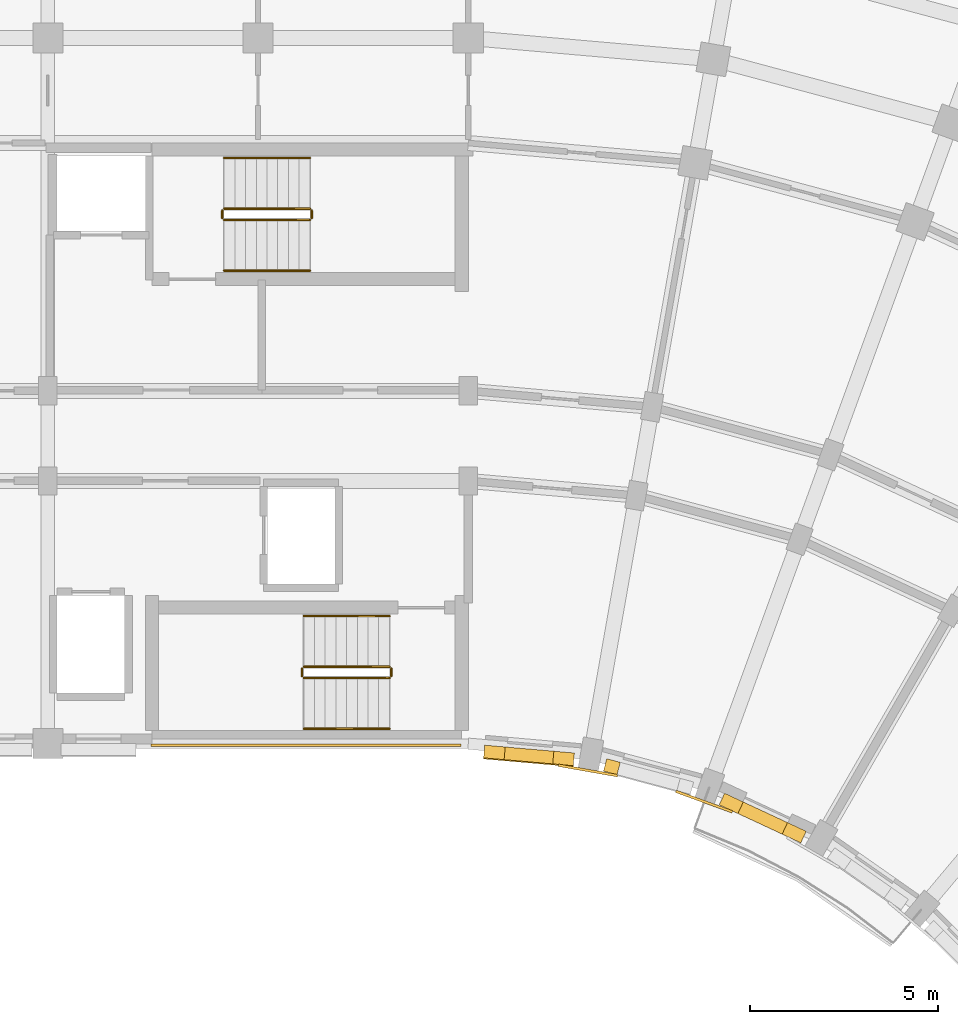
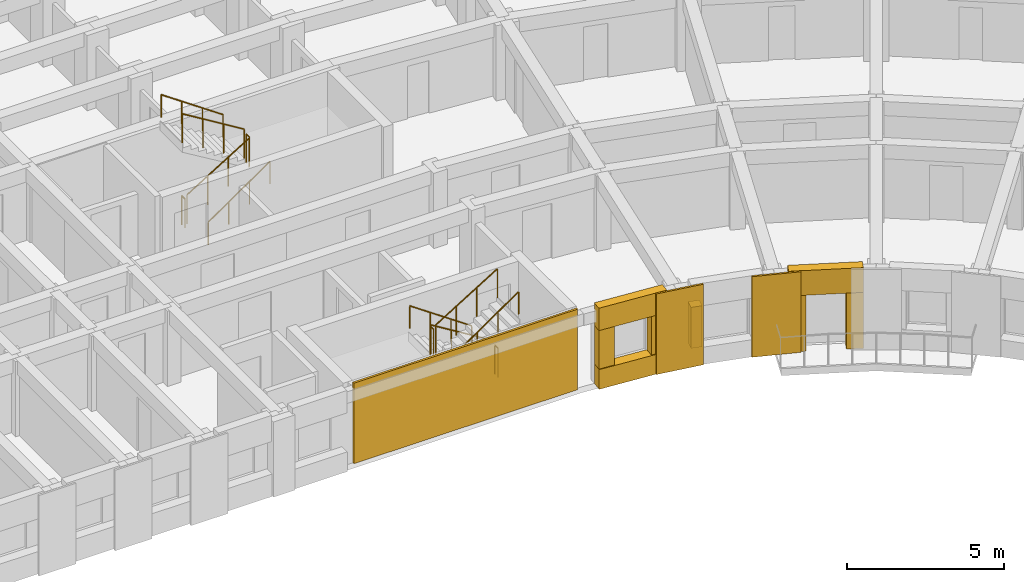
# One storey, part 70 of 76: 12 railings, 11 coverings.
"""IFC4 building model written with IfcOpenShell, lengths in metres."""

from ifc_helpers import new_model, si_unit, direction, frame, origin, origin_2d, place, context, subcontext, project, spatial, polyline, circle, outline, extrude, material, layer, layer_set, type_object, element, save


model = new_model("IFC4")

# Units and contexts
model_context = context("Model", 3, precision=1e-05, world=origin(), true_north=direction((0.0, 1.0)))
body_context = subcontext(model_context, "Body", "Model", "MODEL_VIEW")
ifc_project = project(units=[si_unit("LENGTHUNIT", "METRE"), si_unit("AREAUNIT", "SQUARE_METRE"), si_unit("VOLUMEUNIT", "CUBIC_METRE"), si_unit("PLANEANGLEUNIT", "RADIAN"), si_unit("MASSUNIT", "GRAM", prefix="KILO")], contexts=[model_context])

# Site, building, storey
site_placement = place(None, origin())
site = spatial("IfcSite", under=ifc_project, at=site_placement, CompositionType="ELEMENT")
building_placement = place(site_placement, origin())
building = spatial("IfcBuilding", under=site, at=building_placement, Name="Kiranvali Square Residences", CompositionType="ELEMENT")
storey_placement = place(building_placement, frame((0.0, 0.0, 8.699951171875)))
storey = spatial("IfcBuildingStorey", under=building, at=storey_placement, Name="L02", CompositionType="ELEMENT", Elevation=8.699951171875)

# Coverings
ifc_material_1 = material(Name="Honed Porbandar limestone ashlar facade cladding", Category="masonry")
ifc_layer_1 = layer(ifc_material_1, 0.3798828125)
ifc_layer_set_1 = layer_set([ifc_layer_1], Name="Honed Porbandar limestone ashlar facade cladding")
covering_type_1 = type_object("IfcCoveringType", Name="COV-CLAD-JAMB", PredefinedType="CLADDING", material=ifc_layer_set_1)
covering_1_placement = place(storey_placement, frame((0.0, 0.0, 0.77197265625)))
element("IfcCovering", 1, at=covering_1_placement, inside=storey, type_object=covering_type_1, Name="L02 deep limestone window jamb reveal B-L02-GDN-00.L", PredefinedType="CLADDING", context=body_context, shape_type="SweptSolid", body=[
    extrude(outline(polyline([(120.208740234375, 106.222900390625), (120.755126953125, 106.175048828125), (120.78466796875, 106.513427734375), (120.23828125, 106.56103515625), (120.208740234375, 106.222900390625)])), origin(), (0.0, 0.0, 1.0), 1.5),
])
covering_2_placement = place(storey_placement, frame((0.0, 0.0, 0.77197265625)))
element("IfcCovering", 2, at=covering_2_placement, inside=storey, type_object=covering_type_1, Name="L02 deep limestone window jamb reveal B-L02-GDN-00.R", PredefinedType="CLADDING", context=body_context, shape_type="SweptSolid", body=[
    extrude(outline(polyline([(122.05029296875, 106.061767578125), (122.5966796875, 106.013916015625), (122.626220703125, 106.352294921875), (122.079833984375, 106.400146484375), (122.05029296875, 106.061767578125)])), origin(), (0.0, 0.0, 1.0), 1.5),
])
covering_3_placement = place(storey_placement, frame((0.0, 0.0, 0.672119140625)))
element("IfcCovering", 3, at=covering_3_placement, inside=storey, type_object=covering_type_1, Name="L02 deep limestone window jamb reveal B-L02-GDN-01.L", PredefinedType="CLADDING", context=body_context, shape_type="SweptSolid", body=[
    extrude(outline(polyline([(123.401611328125, 105.8720703125), (123.762451171875, 105.775390625), (123.850341796875, 106.103271484375), (123.489501953125, 106.199951171875), (123.401611328125, 105.8720703125)])), origin(), (0.0, 0.0, 1.0), 1.599853515625),
])
covering_4_placement = place(storey_placement, origin())
element("IfcCovering", 4, at=covering_4_placement, inside=storey, type_object=covering_type_1, Name="L02 deep limestone window jamb reveal B-L02-GDN-02.L", PredefinedType="CLADDING", context=body_context, shape_type="SweptSolid", body=[
    extrude(outline(polyline([(126.485107421875, 104.97216796875), (126.982177734375, 104.740234375), (127.125732421875, 105.048095703125), (126.62841796875, 105.27978515625), (126.485107421875, 104.97216796875)])), origin(), (0.0, 0.0, 1.0), 2.179931640625),
])
covering_5_placement = place(storey_placement, origin())
element("IfcCovering", 5, at=covering_5_placement, inside=storey, type_object=covering_type_1, Name="L02 deep limestone window jamb reveal B-L02-GDN-02.R", PredefinedType="CLADDING", context=body_context, shape_type="SweptSolid", body=[
    extrude(outline(polyline([(128.160400390625, 104.19091796875), (128.657470703125, 103.958984375), (128.801025390625, 104.266845703125), (128.303955078125, 104.49853515625), (128.160400390625, 104.19091796875)])), origin(), (0.0, 0.0, 1.0), 2.179931640625),
])
ifc_layer_2 = layer(ifc_material_1, 0.06494140625)
ifc_layer_set_2 = layer_set([ifc_layer_2], Name="Honed Porbandar limestone ashlar facade cladding")
covering_type_2 = type_object("IfcCoveringType", Name="COV-CLAD-PIER", PredefinedType="CLADDING", material=ifc_layer_set_2)
covering_6_placement = place(storey_placement, frame((0.0, 0.0, 0.005126953125)))
element("IfcCovering", 6, at=covering_6_placement, inside=storey, type_object=covering_type_2, Name="Block B L02 garden stair limestone ashlar cladding", PredefinedType="CLADDING", context=body_context, shape_type="SweptSolid", body=[
    extrude(outline(polyline([(119.60009765625, 106.597900390625), (111.35009765625, 106.597900390625), (111.35009765625, 106.52001953125), (119.60009765625, 106.52001953125), (119.60009765625, 106.597900390625)])), origin(), (0.0, 0.0, 1.0), 3.139892578125),
])
ifc_layer_3 = layer(ifc_material_1, 0.050048828125)
ifc_layer_set_3 = layer_set([ifc_layer_3], Name="Honed Porbandar limestone ashlar facade cladding")
covering_type_3 = type_object("IfcCoveringType", Name="COV-CLAD-PIER-IN", PredefinedType="CLADDING", material=ifc_layer_set_3)
covering_7_placement = place(storey_placement, frame((0.0, 0.0, 0.005126953125)))
element("IfcCovering", 7, at=covering_7_placement, inside=storey, type_object=covering_type_3, Name="L02 Classical garden courtyard pilaster CLAD-PRIN-B-L02-A01", PredefinedType="CLADDING", context=body_context, shape_type="SweptSolid", body=[
    extrude(outline(polyline([(122.195556640625, 105.992431640625), (123.771240234375, 105.714599609375), (123.782958984375, 105.781005859375), (122.207275390625, 106.058837890625), (122.195556640625, 105.992431640625)])), origin(), (0.0, 0.0, 1.0), 3.139892578125),
])
covering_8_placement = place(storey_placement, frame((0.0, 0.0, 0.005126953125)))
element("IfcCovering", 8, at=covering_8_placement, inside=storey, type_object=covering_type_3, Name="L02 Classical garden courtyard pilaster CLAD-PRIN-B-L02-A02", PredefinedType="CLADDING", context=body_context, shape_type="SweptSolid", body=[
    extrude(outline(polyline([(125.318115234375, 105.300048828125), (126.82177734375, 104.7529296875), (126.8447265625, 104.816162109375), (125.34130859375, 105.363525390625), (125.318115234375, 105.300048828125)])), origin(), (0.0, 0.0, 1.0), 3.139892578125),
])
ifc_layer_4 = layer(ifc_material_1, 0.360107421875)
ifc_layer_set_4 = layer_set([ifc_layer_4], Name="Honed Porbandar limestone ashlar facade cladding")
covering_type_4 = type_object("IfcCoveringType", Name="COV-CLAD-WALL", PredefinedType="CLADDING", material=ifc_layer_set_4)
covering_9_placement = place(storey_placement, frame((0.0, 0.0, 2.27197265625)))
element("IfcCovering", 9, at=covering_9_placement, inside=storey, type_object=covering_type_4, Name="L02 light limestone spandrel lintel B-L02-GDN-00", PredefinedType="CLADDING", context=body_context, shape_type="SweptSolid", body=[
    extrude(outline(polyline([(120.208740234375, 106.222900390625), (122.5966796875, 106.013916015625), (122.626220703125, 106.352294921875), (120.23828125, 106.56103515625), (120.208740234375, 106.222900390625)])), origin(), (0.0, 0.0, 1.0), 0.873046875),
])
covering_10_placement = place(storey_placement, frame((0.0, 0.0, 2.179931640625)))
element("IfcCovering", 10, at=covering_10_placement, inside=storey, type_object=covering_type_4, Name="L02 light limestone spandrel lintel B-L02-GDN-02", PredefinedType="CLADDING", context=body_context, shape_type="SweptSolid", body=[
    extrude(outline(polyline([(126.485107421875, 104.97216796875), (128.657470703125, 103.958984375), (128.801025390625, 104.266845703125), (126.62841796875, 105.27978515625), (126.485107421875, 104.97216796875)])), origin(), (0.0, 0.0, 1.0), 0.965087890625),
])
ifc_layer_5 = layer(ifc_material_1, 0.2900390625)
ifc_layer_set_5 = layer_set([ifc_layer_5], Name="Honed Porbandar limestone ashlar facade cladding")
covering_type_5 = type_object("IfcCoveringType", Name="COV-CLAD-WALL-IN", PredefinedType="CLADDING", material=ifc_layer_set_5)
covering_11_placement = place(storey_placement, frame((0.0, 0.0, 0.005126953125)))
element("IfcCovering", 11, at=covering_11_placement, inside=storey, type_object=covering_type_5, Name="L02 limestone window sill apron B-L02-GDN-00", PredefinedType="CLADDING", context=body_context, shape_type="SweptSolid", body=[
    extrude(outline(polyline([(120.2060546875, 106.193115234375), (122.593994140625, 105.984130859375), (122.626220703125, 106.352294921875), (120.23828125, 106.56103515625), (120.2060546875, 106.193115234375)])), origin(), (0.0, 0.0, 1.0), 0.766845703125),
])

# Railings
ifc_material_2 = material(Name="Brushed stainless steel tubular handrail", Category="steel")
railing_type_1 = type_object("IfcRailingType", Name="RL-HANDRAIL-900", PredefinedType="HANDRAIL", material=ifc_material_2)
railing_1_placement = place(storey_placement, frame((113.300048828125, 119.199951171875, 0.175048828125)))
element("IfcRailing", 12, at=railing_1_placement, inside=storey, type_object=railing_type_1, Name="L02 ST-B1 stair handrail 1", PredefinedType="HANDRAIL", context=body_context, shape_type="SweptSolid", body=[
    extrude(circle(Radius=0.02392578125, at=origin_2d()), frame((0.0, 0.0, 0.8759765625), z_axis=(0.82278801735, 0.0, 0.568348377763), x_axis=(0.0, 1.0, 0.0)), (0.0, 0.0, 1.0), 2.77099609375),
    extrude(circle(Radius=0.02099609375, at=origin_2d()), origin(), (0.0, 0.0, 1.0), 0.851806640625),
    extrude(circle(Radius=0.02099609375, at=origin_2d()), frame((0.760009765625, 0.0, 0.52490234375)), (0.0, 0.0, 1.0), 0.851806640625),
    extrude(circle(Radius=0.02099609375, at=origin_2d()), frame((1.52001953125, 0.0, 1.050048828125)), (0.0, 0.0, 1.0), 0.851806640625),
    extrude(circle(Radius=0.02099609375, at=origin_2d()), frame((2.280029296875, 0.0, 1.574951171875)), (0.0, 0.0, 1.0), 0.851806640625),
])
for number, where, name in (
    (13, (115.580078125, 122.199951171875, 1.75), "L02 ST-B1 stair handrail 2"),
    (14, (117.699951171875, 110.0, 0.175048828125), "L02 ST-B2 stair handrail 1"),
):
    element("IfcRailing", number, at=place(storey_placement, frame(where)), inside=storey, type_object=railing_type_1, Name=name, PredefinedType="HANDRAIL", context=body_context, shape_type="SweptSolid", body=[
        extrude(circle(Radius=0.02392578125, at=origin_2d()), frame((0.0, 0.0, 0.8759765625), z_axis=(-0.82278801735, 0.0, 0.568348377763), x_axis=(0.0, -1.0, 0.0)), (0.0, 0.0, 1.0), 2.77099609375),
        extrude(circle(Radius=0.02099609375, at=origin_2d()), origin(), (0.0, 0.0, 1.0), 0.851806640625),
        extrude(circle(Radius=0.02099609375, at=origin_2d()), frame((-0.760009765625, 0.0, 0.52490234375)), (0.0, 0.0, 1.0), 0.851806640625),
        extrude(circle(Radius=0.02099609375, at=origin_2d()), frame((-1.52001953125, 0.0, 1.050048828125)), (0.0, 0.0, 1.0), 0.851806640625),
        extrude(circle(Radius=0.02099609375, at=origin_2d()), frame((-2.280029296875, 0.0, 1.574951171875)), (0.0, 0.0, 1.0), 0.851806640625),
    ])
railing_2_placement = place(storey_placement, frame((115.419921875, 107.0, 1.75)))
element("IfcRailing", 15, at=railing_2_placement, inside=storey, type_object=railing_type_1, Name="L02 ST-B2 stair handrail 2", PredefinedType="HANDRAIL", context=body_context, shape_type="SweptSolid", body=[
    extrude(circle(Radius=0.02392578125, at=origin_2d()), frame((0.0, 0.0, 0.8759765625), z_axis=(0.82278801735, 0.0, 0.568348377763), x_axis=(0.0, 1.0, 0.0)), (0.0, 0.0, 1.0), 2.77099609375),
    extrude(circle(Radius=0.02099609375, at=origin_2d()), origin(), (0.0, 0.0, 1.0), 0.851806640625),
    extrude(circle(Radius=0.02099609375, at=origin_2d()), frame((0.760009765625, 0.0, 0.52490234375)), (0.0, 0.0, 1.0), 0.851806640625),
    extrude(circle(Radius=0.02099609375, at=origin_2d()), frame((1.52001953125, 0.0, 1.050048828125)), (0.0, 0.0, 1.0), 0.851806640625),
    extrude(circle(Radius=0.02099609375, at=origin_2d()), frame((2.280029296875, 0.0, 1.574951171875)), (0.0, 0.0, 1.0), 0.851806640625),
])
ifc_material_3 = material(Name="Powder-coated architectural bronze balustrade", Category="steel")
railing_type_2 = type_object("IfcRailingType", Name="RL-ST-GUARD-1200", PredefinedType="GUARDRAIL", material=ifc_material_3)
railing_3_placement = place(storey_placement, frame((113.300048828125, 120.550048828125, 0.175048828125)))
element("IfcRailing", 16, at=railing_3_placement, inside=storey, type_object=railing_type_2, Name="L02 ST-B1 stair guard 1", PredefinedType="GUARDRAIL", context=body_context, shape_type="SweptSolid", body=[
    extrude(circle(Radius=0.02392578125, at=origin_2d()), frame((0.0, 0.0, 1.1259765625), z_axis=(0.852190499154, 0.0, 0.523231643875), x_axis=(0.0, 1.0, 0.0)), (0.0, 0.0, 1.0), 2.675537109375),
    extrude(circle(Radius=0.02099609375, at=origin_2d()), origin(), (0.0, 0.0, 1.0), 1.101806640625),
    extrude(circle(Radius=0.02099609375, at=origin_2d()), frame((0.760009765625, 0.0, 0.466552734375)), (0.0, 0.0, 1.0), 1.101806640625),
    extrude(circle(Radius=0.02099609375, at=origin_2d()), frame((1.52001953125, 0.0, 0.933349609375)), (0.0, 0.0, 1.0), 1.101806640625),
    extrude(circle(Radius=0.02099609375, at=origin_2d()), frame((2.280029296875, 0.0, 1.39990234375)), (0.0, 0.0, 1.0), 1.101806640625),
])
railing_4_placement = place(storey_placement, frame((115.6298828125, 120.60009765625, 1.574951171875)))
element("IfcRailing", 17, at=railing_4_placement, inside=storey, type_object=railing_type_2, Name="L02 ST-B1 stair guard 2", PredefinedType="GUARDRAIL", context=body_context, shape_type="SweptSolid", body=[
    extrude(circle(Radius=0.02392578125, at=origin_2d()), frame((0.0, 0.0, 1.1259765625), z_axis=(0.0, 1.0, 0.0), x_axis=(-1.0, 0.0, 0.0)), (0.0, 0.0, 1.0), 0.199951171875),
    extrude(circle(Radius=0.02099609375, at=origin_2d()), origin(), (0.0, 0.0, 1.0), 1.101806640625),
    extrude(circle(Radius=0.02099609375, at=origin_2d()), frame((0.0, 0.199951171875, 0.0)), (0.0, 0.0, 1.0), 1.101806640625),
])
railing_5_placement = place(storey_placement, frame((115.580078125, 120.85009765625, 1.75)))
element("IfcRailing", 18, at=railing_5_placement, inside=storey, type_object=railing_type_2, Name="L02 ST-B1 stair guard 3", PredefinedType="GUARDRAIL", context=body_context, shape_type="SweptSolid", body=[
    extrude(circle(Radius=0.02392578125, at=origin_2d()), frame((0.0, 0.0, 1.1259765625), z_axis=(-0.852149810458, 0.0, 0.523297908018), x_axis=(0.0, -1.0, 0.0)), (0.0, 0.0, 1.0), 2.675537109375),
    extrude(circle(Radius=0.02099609375, at=origin_2d()), origin(), (0.0, 0.0, 1.0), 1.101806640625),
    extrude(circle(Radius=0.02099609375, at=origin_2d()), frame((-0.760009765625, 0.0, 0.466796875)), (0.0, 0.0, 1.0), 1.101806640625),
    extrude(circle(Radius=0.02099609375, at=origin_2d()), frame((-1.52001953125, 0.0, 0.933349609375)), (0.0, 0.0, 1.0), 1.101806640625),
    extrude(circle(Radius=0.02099609375, at=origin_2d()), frame((-2.280029296875, 0.0, 1.400146484375)), (0.0, 0.0, 1.0), 1.101806640625),
])
railing_6_placement = place(storey_placement, frame((113.25, 120.60009765625, 0.0)))
element("IfcRailing", 19, at=railing_6_placement, inside=storey, type_object=railing_type_2, Name="L02 ST-B1 stair guard 4", PredefinedType="GUARDRAIL", context=body_context, shape_type="SweptSolid", body=[
    extrude(circle(Radius=0.02392578125, at=origin_2d()), frame((0.0, 0.0, 1.1259765625), z_axis=(0.0, 1.0, 0.0), x_axis=(-1.0, 0.0, 0.0)), (0.0, 0.0, 1.0), 0.199951171875),
    extrude(circle(Radius=0.02099609375, at=origin_2d()), origin(), (0.0, 0.0, 1.0), 1.101806640625),
    extrude(circle(Radius=0.02099609375, at=origin_2d()), frame((0.0, 0.199951171875, 0.0)), (0.0, 0.0, 1.0), 1.101806640625),
])
railing_7_placement = place(storey_placement, frame((117.699951171875, 108.64990234375, 0.175048828125)))
element("IfcRailing", 20, at=railing_7_placement, inside=storey, type_object=railing_type_2, Name="L02 ST-B2 stair guard 1", PredefinedType="GUARDRAIL", context=body_context, shape_type="SweptSolid", body=[
    extrude(circle(Radius=0.02392578125, at=origin_2d()), frame((0.0, 0.0, 1.1259765625), z_axis=(-0.852190499154, 0.0, 0.523231643875), x_axis=(0.0, -1.0, 0.0)), (0.0, 0.0, 1.0), 2.675537109375),
    extrude(circle(Radius=0.02099609375, at=origin_2d()), origin(), (0.0, 0.0, 1.0), 1.101806640625),
    extrude(circle(Radius=0.02099609375, at=origin_2d()), frame((-0.760009765625, 0.0, 0.466552734375)), (0.0, 0.0, 1.0), 1.101806640625),
    extrude(circle(Radius=0.02099609375, at=origin_2d()), frame((-1.52001953125, 0.0, 0.933349609375)), (0.0, 0.0, 1.0), 1.101806640625),
    extrude(circle(Radius=0.02099609375, at=origin_2d()), frame((-2.280029296875, 0.0, 1.39990234375)), (0.0, 0.0, 1.0), 1.101806640625),
])
railing_8_placement = place(storey_placement, frame((115.3701171875, 108.60009765625, 1.574951171875)))
element("IfcRailing", 21, at=railing_8_placement, inside=storey, type_object=railing_type_2, Name="L02 ST-B2 stair guard 2", PredefinedType="GUARDRAIL", context=body_context, shape_type="SweptSolid", body=[
    extrude(circle(Radius=0.02392578125, at=origin_2d()), frame((0.0, 0.0, 1.1259765625), z_axis=(0.0, -1.0, 0.0), x_axis=(1.0, 0.0, 0.0)), (0.0, 0.0, 1.0), 0.2001953125),
    extrude(circle(Radius=0.02099609375, at=origin_2d()), origin(), (0.0, 0.0, 1.0), 1.101806640625),
    extrude(circle(Radius=0.02099609375, at=origin_2d()), frame((0.0, -0.2001953125, 0.0)), (0.0, 0.0, 1.0), 1.101806640625),
])
railing_9_placement = place(storey_placement, frame((115.419921875, 108.35009765625, 1.75)))
element("IfcRailing", 22, at=railing_9_placement, inside=storey, type_object=railing_type_2, Name="L02 ST-B2 stair guard 3", PredefinedType="GUARDRAIL", context=body_context, shape_type="SweptSolid", body=[
    extrude(circle(Radius=0.02392578125, at=origin_2d()), frame((0.0, 0.0, 1.1259765625), z_axis=(0.852149810458, 0.0, 0.523297908018), x_axis=(0.0, 1.0, 0.0)), (0.0, 0.0, 1.0), 2.675537109375),
    extrude(circle(Radius=0.02099609375, at=origin_2d()), origin(), (0.0, 0.0, 1.0), 1.101806640625),
    extrude(circle(Radius=0.02099609375, at=origin_2d()), frame((0.760009765625, 0.0, 0.466796875)), (0.0, 0.0, 1.0), 1.101806640625),
    extrude(circle(Radius=0.02099609375, at=origin_2d()), frame((1.52001953125, 0.0, 0.933349609375)), (0.0, 0.0, 1.0), 1.101806640625),
    extrude(circle(Radius=0.02099609375, at=origin_2d()), frame((2.280029296875, 0.0, 1.400146484375)), (0.0, 0.0, 1.0), 1.101806640625),
])
railing_10_placement = place(storey_placement, frame((117.75, 108.60009765625, 0.0)))
element("IfcRailing", 23, at=railing_10_placement, inside=storey, type_object=railing_type_2, Name="L02 ST-B2 stair guard 4", PredefinedType="GUARDRAIL", context=body_context, shape_type="SweptSolid", body=[
    extrude(circle(Radius=0.02392578125, at=origin_2d()), frame((0.0, 0.0, 1.1259765625), z_axis=(0.0, -1.0, 0.0), x_axis=(1.0, 0.0, 0.0)), (0.0, 0.0, 1.0), 0.2001953125),
    extrude(circle(Radius=0.02099609375, at=origin_2d()), origin(), (0.0, 0.0, 1.0), 1.101806640625),
    extrude(circle(Radius=0.02099609375, at=origin_2d()), frame((0.0, -0.2001953125, 0.0)), (0.0, 0.0, 1.0), 1.101806640625),
])

save(model, "model.ifc")
